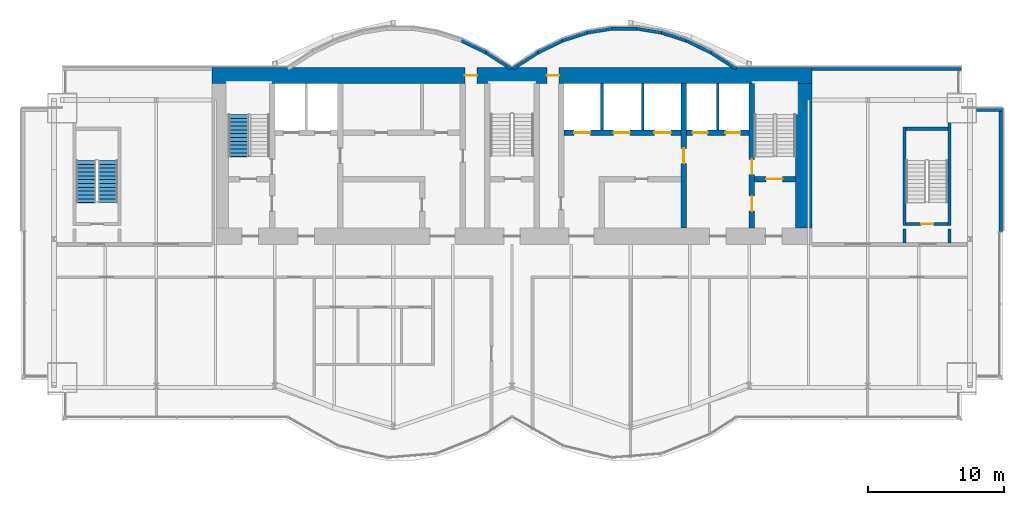
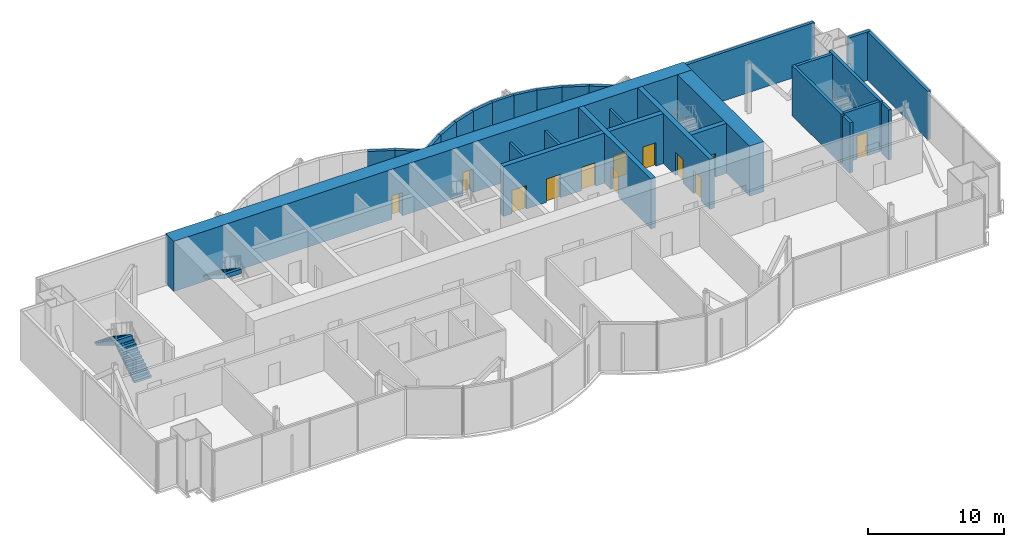
# One storey, part 13 of 17: 29 walls, 12 doors, 3 stair flights, 12 openings, 2 elements without a shape of their own.
"""IFC4 building model written with IfcOpenShell, lengths in metres."""

from ifc_helpers import new_model, si_unit, direction, frame, frame_2d, origin, place, context, subcontext, project, spatial, polyline, rectangle, outline, extrude, material, layer, layer_set, layer_usage, type_object, element, fill, aggregate, save


model = new_model("IFC4")

# Units and contexts
model_context = context("Model", 3, precision=1e-05, world=origin(), true_north=direction((0.0, 1.0)))
body_context = subcontext(model_context, "Body", "Model", "MODEL_VIEW")
ifc_project = project(units=[si_unit("LENGTHUNIT", "METRE"), si_unit("AREAUNIT", "SQUARE_METRE"), si_unit("VOLUMEUNIT", "CUBIC_METRE"), si_unit("PLANEANGLEUNIT", "RADIAN"), si_unit("MASSUNIT", "GRAM", prefix="KILO")], contexts=[model_context])

# Site, building, storey
site_placement = place(None, origin())
site = spatial("IfcSite", under=ifc_project, at=site_placement, CompositionType="ELEMENT")
building_placement = place(site_placement, origin())
building = spatial("IfcBuilding", under=site, at=building_placement, Name="Bicima Exchange Tower", CompositionType="ELEMENT")
storey_placement = place(building_placement, frame((0.0, 0.0, 320.0)))
storey = spatial("IfcBuildingStorey", under=building, at=storey_placement, Name="L72", CompositionType="ELEMENT", Elevation=320.0)

# Walls
ifc_material_1 = material(Name="Gypsum board partition")
ifc_layer_1 = layer(ifc_material_1, 0.199951171875)
ifc_layer_set_1 = layer_set([ifc_layer_1], Name="Gypsum board partition")
wall_type_1 = type_object("IfcWallType", Name="Fire-rated gypsum partition 200 EI120", PredefinedType="PARTITIONING", material=ifc_layer_set_1)
for number, where, z_axis, x_axis, name in (
    (1, (6.60009765625, -4.60009765625, 0.0), (0.0, 0.0, 1.0), (0.0, 1.0, 0.0), "partition wall 18"),
    (2, (9.60009765625, -4.60009765625, 0.0), (0.0, 0.0, 1.0), (0.0, 1.0, 0.0), "partition wall 19"),
    (3, (15.10009765625, -4.60009765625, 0.0), (0.0, 0.0, 1.0), (0.0, 1.0, 0.0), "partition wall 21"),
):
    element("IfcWall", number, at=place(storey_placement, frame(where, z_axis=z_axis, x_axis=x_axis)), inside=storey, type_object=wall_type_1, Name=name, PredefinedType="PARTITIONING", context=body_context, shape_type="SweptSolid", body=[
        extrude(rectangle(XDim=3.400146484375, YDim=0.199951171875, at=frame_2d((1.7001953125, 0.0))), origin(), (0.0, 0.0, 1.0), 3.418212890625),
    ])

# Wall, openings, doors
ifc_material_2 = material(Name="Concrete C40/50", Category="concrete")
ifc_layer_2 = layer(ifc_material_2, 1.199951171875)
ifc_layer_set_2 = layer_set([ifc_layer_2], Name="Concrete C40/50")
wall_type_2 = type_object("IfcWallType", Name="RC core wall 1200 C40/50", PredefinedType="SHEAR", material=ifc_layer_set_2)
wall_1_placement = place(storey_placement, frame((-22.0, -0.60009765625, 0.0), z_axis=(0.0, 0.0, 1.0), x_axis=(1.0, 0.0, 0.0)))
wall_1 = element("IfcWall", 4, at=wall_1_placement, inside=storey, type_object=wall_type_2, Name="Core wall north", PredefinedType="SHEAR", context=body_context, shape_type="SweptSolid", body=[
    extrude(rectangle(XDim=44.0, YDim=1.199951171875, at=frame_2d((22.0, 0.0))), origin(), (0.0, 0.0, 1.0), 4.5),
])
opening_1_placement = place(wall_1_placement, frame((18.550048828125, 0.0, 0.0)))
opening_1 = element("IfcOpeningElement", 5, at=opening_1_placement, cuts=wall_1, Name="Opening L72-C16", PredefinedType="OPENING", context=body_context, shape_type="SweptSolid", body=[
    extrude(rectangle(XDim=0.89990234375, YDim=2.10009765625, at=frame_2d((0.449951171875, 1.050048828125))), frame((0.0, 0.61181640625, 0.0), z_axis=(0.0, -1.0, 0.0), x_axis=(1.0, 0.0, 0.0)), (0.0, 0.0, 1.0), 1.223876953125),
])
opening_2_placement = place(wall_1_placement, frame((24.550048828125, 0.0, 0.0)))
opening_2 = element("IfcOpeningElement", 6, at=opening_2_placement, cuts=wall_1, Name="Opening L72-C17", PredefinedType="OPENING", context=body_context, shape_type="SweptSolid", body=[
    extrude(rectangle(XDim=0.89990234375, YDim=2.10009765625, at=frame_2d((0.449951171875, 1.050048828125))), frame((0.0, 0.61181640625, 0.0), z_axis=(0.0, -1.0, 0.0), x_axis=(1.0, 0.0, 0.0)), (0.0, 0.0, 1.0), 1.223876953125),
])
ifc_material_3 = material(Name="Steel fire door leaf", Category="steel")
door_type_1 = type_object("IfcDoorType", Name="Door 900 swing FD30S", OperationType="SINGLE_SWING_LEFT", PredefinedType="DOOR", material=ifc_material_3)
door_1_placement = place(opening_1_placement, origin())
door_1 = element("IfcDoor", 7, at=door_1_placement, inside=storey, type_object=door_type_1, Name="Core door", OperationType="SINGLE_SWING_LEFT", OverallHeight=2.10009765625, OverallWidth=0.89990234375, PredefinedType="DOOR", context=body_context, shape_type="SweptSolid", body=[
    extrude(rectangle(XDim=0.89990234375, YDim=2.10009765625, at=frame_2d((0.449951171875, 1.050048828125))), frame((0.0, 0.02490234375, 0.0), z_axis=(0.0, -1.0, 0.0), x_axis=(1.0, 0.0, 0.0)), (0.0, 0.0, 1.0), 0.050048828125),
])
fill(opening_1, door_1)
door_2_placement = place(opening_2_placement, origin())
door_2 = element("IfcDoor", 8, at=door_2_placement, inside=storey, type_object=door_type_1, Name="Core door", OperationType="SINGLE_SWING_LEFT", OverallHeight=2.10009765625, OverallWidth=0.89990234375, PredefinedType="DOOR", context=body_context, shape_type="SweptSolid", body=[
    extrude(rectangle(XDim=0.89990234375, YDim=2.10009765625, at=frame_2d((0.449951171875, 1.050048828125))), frame((0.0, 0.02490234375, 0.0), z_axis=(0.0, -1.0, 0.0), x_axis=(1.0, 0.0, 0.0)), (0.0, 0.0, 1.0), 0.050048828125),
])
fill(opening_2, door_2)

# Walls
wall_2_placement = place(storey_placement, frame((21.39990234375, -11.800048828125, 0.0), z_axis=(0.0, 0.0, 1.0), x_axis=(0.0, 1.0, 0.0)))
element("IfcWall", 9, at=wall_2_placement, inside=storey, type_object=wall_type_2, Name="Core wall east", PredefinedType="SHEAR", context=body_context, shape_type="SweptSolid", body=[
    extrude(rectangle(XDim=10.60009765625, YDim=1.199951171875, at=frame_2d((5.300048828125, 0.0))), origin(), (0.0, 0.0, 1.0), 4.5),
])
ifc_material_4 = material(Name="Concrete C50/60", Category="concrete")
ifc_layer_3 = layer(ifc_material_4, 0.25)
ifc_layer_set_3 = layer_set([ifc_layer_3], Name="Concrete C50/60")
wall_type_3 = type_object("IfcWallType", Name="RC core wall 250 C50/60", PredefinedType="SHEAR", material=ifc_layer_set_3)
for number, where, z_axis, x_axis, name in (
    (10, (28.800048828125, -12.89990234375, 0.0), (0.0, 0.0, 1.0), (0.0, 1.0, 0.0), "stair wall 26"),
    (11, (32.10009765625, -12.89990234375, 0.0), (0.0, 0.0, 1.0), (0.0, 1.0, 0.0), "stair wall 27"),
):
    element("IfcWall", number, at=place(storey_placement, frame(where, z_axis=z_axis, x_axis=x_axis)), inside=storey, type_object=wall_type_3, Name=name, PredefinedType="SHEAR", context=body_context, shape_type="SweptSolid", body=[
        extrude(rectangle(XDim=1.0498046875, YDim=0.25, at=frame_2d((0.52490234375, 0.0))), origin(), (0.0, 0.0, 1.0), 4.5),
    ])

# Wall, openings, doors
ifc_layer_4 = layer(ifc_material_2, 0.39990234375)
ifc_layer_set_4 = layer_set([ifc_layer_4], Name="Concrete C40/50")
wall_type_4 = type_object("IfcWallType", Name="RC core wall 400 C40/50", PredefinedType="SHEAR", material=ifc_layer_set_4)
wall_3_placement = place(storey_placement, frame((3.800048828125, -4.800048828125, 0.0), z_axis=(0.0, 0.0, 1.0), x_axis=(1.0, 0.0, 0.0)))
wall_3 = element("IfcWall", 12, at=wall_3_placement, inside=storey, type_object=wall_type_4, Name="shear wall 7", PredefinedType="SHEAR", context=body_context, shape_type="SweptSolid", body=[
    extrude(rectangle(XDim=13.599853515625, YDim=0.39990234375, at=frame_2d((6.7998046875, 0.0))), origin(), (0.0, 0.0, 1.0), 4.5),
])
opening_3_placement = place(wall_3_placement, frame((0.75, 0.0, 0.0)))
opening_3 = element("IfcOpeningElement", 13, at=opening_3_placement, cuts=wall_3, Name="Opening LD-HB1-L72", PredefinedType="OPENING", context=body_context, shape_type="SweptSolid", body=[
    extrude(rectangle(XDim=1.199951171875, YDim=2.10009765625, at=frame_2d((0.60009765625, 1.050048828125))), frame((0.0, 0.2119140625, 0.0), z_axis=(0.0, -1.0, 0.0), x_axis=(1.0, 0.0, 0.0)), (0.0, 0.0, 1.0), 0.423828125),
])
opening_4_placement = place(wall_3_placement, frame((3.64990234375, 0.0, 0.0)))
opening_4 = element("IfcOpeningElement", 14, at=opening_4_placement, cuts=wall_3, Name="Opening LD-HB2-L72", PredefinedType="OPENING", context=body_context, shape_type="SweptSolid", body=[
    extrude(rectangle(XDim=1.199951171875, YDim=2.10009765625, at=frame_2d((0.60009765625, 1.050048828125))), frame((0.0, 0.2119140625, 0.0), z_axis=(0.0, -1.0, 0.0), x_axis=(1.0, 0.0, 0.0)), (0.0, 0.0, 1.0), 0.423828125),
])
opening_5_placement = place(wall_3_placement, frame((6.64990234375, 0.0, 0.0)))
opening_5 = element("IfcOpeningElement", 15, at=opening_5_placement, cuts=wall_3, Name="Opening LD-HB3-L72", PredefinedType="OPENING", context=body_context, shape_type="SweptSolid", body=[
    extrude(rectangle(XDim=1.199951171875, YDim=2.10009765625, at=frame_2d((0.60009765625, 1.050048828125))), frame((0.0, 0.2119140625, 0.0), z_axis=(0.0, -1.0, 0.0), x_axis=(1.0, 0.0, 0.0)), (0.0, 0.0, 1.0), 0.423828125),
])
opening_6_placement = place(wall_3_placement, frame((9.449951171875, 0.0, 0.0)))
opening_6 = element("IfcOpeningElement", 16, at=opening_6_placement, cuts=wall_3, Name="Opening LD-FF2-L72", PredefinedType="OPENING", context=body_context, shape_type="SweptSolid", body=[
    extrude(rectangle(XDim=1.10009765625, YDim=2.10009765625, at=frame_2d((0.550048828125, 1.050048828125))), frame((0.0, 0.2119140625, 0.0), z_axis=(0.0, -1.0, 0.0), x_axis=(1.0, 0.0, 0.0)), (0.0, 0.0, 1.0), 0.423828125),
])
opening_7_placement = place(wall_3_placement, frame((11.85009765625, 0.0, 0.0)))
opening_7 = element("IfcOpeningElement", 17, at=opening_7_placement, cuts=wall_3, Name="Opening LD-SV1-L72", PredefinedType="OPENING", context=body_context, shape_type="SweptSolid", body=[
    extrude(rectangle(XDim=1.10009765625, YDim=2.10009765625, at=frame_2d((0.550048828125, 1.050048828125))), frame((0.0, 0.2119140625, 0.0), z_axis=(0.0, -1.0, 0.0), x_axis=(1.0, 0.0, 0.0)), (0.0, 0.0, 1.0), 0.423828125),
])
ifc_material_5 = material(Name="Stainless steel", Category="steel")
door_type_2 = type_object("IfcDoorType", Name="Lift landing door 1100 sliding", OperationType="DOUBLE_DOOR_SLIDING", PredefinedType="DOOR", material=ifc_material_5)
door_3_placement = place(opening_6_placement, origin())
door_3 = element("IfcDoor", 18, at=door_3_placement, inside=storey, type_object=door_type_2, Name="Lift landing door FF2", OperationType="DOUBLE_DOOR_SLIDING", OverallHeight=2.10009765625, OverallWidth=1.10009765625, PredefinedType="DOOR", context=body_context, shape_type="SweptSolid", body=[
    extrude(rectangle(XDim=1.10009765625, YDim=2.10009765625, at=frame_2d((0.550048828125, 1.050048828125))), frame((0.0, 0.02490234375, 0.0), z_axis=(0.0, -1.0, 0.0), x_axis=(1.0, 0.0, 0.0)), (0.0, 0.0, 1.0), 0.050048828125),
])
fill(opening_6, door_3)
door_4_placement = place(opening_7_placement, origin())
door_4 = element("IfcDoor", 19, at=door_4_placement, inside=storey, type_object=door_type_2, Name="Lift landing door SV1", OperationType="DOUBLE_DOOR_SLIDING", OverallHeight=2.10009765625, OverallWidth=1.10009765625, PredefinedType="DOOR", context=body_context, shape_type="SweptSolid", body=[
    extrude(rectangle(XDim=1.10009765625, YDim=2.10009765625, at=frame_2d((0.550048828125, 1.050048828125))), frame((0.0, 0.02490234375, 0.0), z_axis=(0.0, -1.0, 0.0), x_axis=(1.0, 0.0, 0.0)), (0.0, 0.0, 1.0), 0.050048828125),
])
fill(opening_7, door_4)
door_type_3 = type_object("IfcDoorType", Name="Lift landing door 1200 sliding", OperationType="DOUBLE_DOOR_SLIDING", PredefinedType="DOOR", material=ifc_material_5)
door_5_placement = place(opening_3_placement, origin())
door_5 = element("IfcDoor", 20, at=door_5_placement, inside=storey, type_object=door_type_3, Name="Lift landing door HB1", OperationType="DOUBLE_DOOR_SLIDING", OverallHeight=2.10009765625, OverallWidth=1.199951171875, PredefinedType="DOOR", context=body_context, shape_type="SweptSolid", body=[
    extrude(rectangle(XDim=1.199951171875, YDim=2.10009765625, at=frame_2d((0.60009765625, 1.050048828125))), frame((0.0, 0.02490234375, 0.0), z_axis=(0.0, -1.0, 0.0), x_axis=(1.0, 0.0, 0.0)), (0.0, 0.0, 1.0), 0.050048828125),
])
fill(opening_3, door_5)
door_6_placement = place(opening_4_placement, origin())
door_6 = element("IfcDoor", 21, at=door_6_placement, inside=storey, type_object=door_type_3, Name="Lift landing door HB2", OperationType="DOUBLE_DOOR_SLIDING", OverallHeight=2.10009765625, OverallWidth=1.199951171875, PredefinedType="DOOR", context=body_context, shape_type="SweptSolid", body=[
    extrude(rectangle(XDim=1.199951171875, YDim=2.10009765625, at=frame_2d((0.60009765625, 1.050048828125))), frame((0.0, 0.02490234375, 0.0), z_axis=(0.0, -1.0, 0.0), x_axis=(1.0, 0.0, 0.0)), (0.0, 0.0, 1.0), 0.050048828125),
])
fill(opening_4, door_6)
door_7_placement = place(opening_5_placement, origin())
door_7 = element("IfcDoor", 22, at=door_7_placement, inside=storey, type_object=door_type_3, Name="Lift landing door HB3", OperationType="DOUBLE_DOOR_SLIDING", OverallHeight=2.10009765625, OverallWidth=1.199951171875, PredefinedType="DOOR", context=body_context, shape_type="SweptSolid", body=[
    extrude(rectangle(XDim=1.199951171875, YDim=2.10009765625, at=frame_2d((0.60009765625, 1.050048828125))), frame((0.0, 0.02490234375, 0.0), z_axis=(0.0, -1.0, 0.0), x_axis=(1.0, 0.0, 0.0)), (0.0, 0.0, 1.0), 0.050048828125),
])
fill(opening_5, door_7)

# Wall, opening, door
wall_4_placement = place(storey_placement, frame((12.60009765625, -11.800048828125, 0.0), z_axis=(0.0, 0.0, 1.0), x_axis=(0.0, 1.0, 0.0)))
wall_4 = element("IfcWall", 23, at=wall_4_placement, inside=storey, type_object=wall_type_4, Name="shear wall 20", PredefinedType="SHEAR", context=body_context, shape_type="SweptSolid", body=[
    extrude(rectangle(XDim=10.60009765625, YDim=0.39990234375, at=frame_2d((5.300048828125, 0.0))), origin(), (0.0, 0.0, 1.0), 4.5),
])
opening_8_placement = place(wall_4_placement, frame((4.75, 0.0, 0.0)))
opening_8 = element("IfcOpeningElement", 24, at=opening_8_placement, cuts=wall_4, Name="Opening L72-C09", PredefinedType="OPENING", context=body_context, shape_type="SweptSolid", body=[
    extrude(rectangle(XDim=1.10009765625, YDim=2.10009765625, at=frame_2d((0.550048828125, 1.050048828125))), frame((0.0, 0.2119140625, 0.0), z_axis=(0.0, -1.0, 0.0), x_axis=(1.0, 0.0, 0.0)), (0.0, 0.0, 1.0), 0.423828125),
])
door_type_4 = type_object("IfcDoorType", Name="Door 1100 swing FD60S", OperationType="SINGLE_SWING_LEFT", PredefinedType="DOOR", material=ifc_material_3)
door_8_placement = place(opening_8_placement, frame((1.10009765625, 0.0, 0.0), z_axis=(0.0, 0.0, 1.0), x_axis=(-1.0, 0.0, 0.0)))
door_8 = element("IfcDoor", 25, at=door_8_placement, inside=storey, type_object=door_type_4, Name="Core door", OperationType="SINGLE_SWING_RIGHT", OverallHeight=2.10009765625, OverallWidth=1.10009765625, PredefinedType="DOOR", context=body_context, shape_type="SweptSolid", body=[
    extrude(rectangle(XDim=1.10009765625, YDim=2.10009765625, at=frame_2d((0.550048828125, 1.050048828125))), frame((0.0, 0.02490234375, 0.0), z_axis=(0.0, -1.0, 0.0), x_axis=(1.0, 0.0, 0.0)), (0.0, 0.0, 1.0), 0.050048828125),
])
fill(opening_8, door_8)

ifc_layer_5 = layer(ifc_material_4, 0.39990234375)
ifc_layer_set_5 = layer_set([ifc_layer_5], Name="Concrete C50/60")
wall_type_5 = type_object("IfcWallType", Name="RC core wall 400 C50/60", PredefinedType="SHEAR", material=ifc_layer_set_5)
wall_5_placement = place(storey_placement, frame((17.800048828125, -8.199951171875, 0.0), z_axis=(0.0, 0.0, 1.0), x_axis=(1.0, 0.0, 0.0)))
wall_5 = element("IfcWall", 26, at=wall_5_placement, inside=storey, type_object=wall_type_5, Name="stair wall 5", PredefinedType="SHEAR", context=body_context, shape_type="SweptSolid", body=[
    extrude(rectangle(XDim=3.0, YDim=0.39990234375, at=frame_2d((1.5, 0.0))), origin(), (0.0, 0.0, 1.0), 4.5),
])
opening_9_placement = place(wall_5_placement, frame((0.85009765625, 0.0, 0.0)))
opening_9 = element("IfcOpeningElement", 27, at=opening_9_placement, cuts=wall_5, Name="Opening L72-C04", PredefinedType="OPENING", context=body_context, shape_type="SweptSolid", body=[
    extrude(rectangle(XDim=1.199951171875, YDim=2.10009765625, at=frame_2d((0.60009765625, 1.050048828125))), frame((0.0, 0.2119140625, 0.0), z_axis=(0.0, -1.0, 0.0), x_axis=(1.0, 0.0, 0.0)), (0.0, 0.0, 1.0), 0.423828125),
])
door_type_5 = type_object("IfcDoorType", Name="Door 1200 swing FD60S", OperationType="SINGLE_SWING_LEFT", PredefinedType="DOOR", material=ifc_material_3)
door_9_placement = place(opening_9_placement, origin())
door_9 = element("IfcDoor", 28, at=door_9_placement, inside=storey, type_object=door_type_5, Name="Core door", OperationType="SINGLE_SWING_RIGHT", OverallHeight=2.10009765625, OverallWidth=1.199951171875, PredefinedType="DOOR", context=body_context, shape_type="SweptSolid", body=[
    extrude(rectangle(XDim=1.199951171875, YDim=2.10009765625, at=frame_2d((0.60009765625, 1.050048828125))), frame((0.0, 0.02490234375, 0.0), z_axis=(0.0, -1.0, 0.0), x_axis=(1.0, 0.0, 0.0)), (0.0, 0.0, 1.0), 0.050048828125),
])
fill(opening_9, door_9)

# Wall, openings, doors
wall_6_placement = place(storey_placement, frame((17.60009765625, -11.800048828125, 0.0), z_axis=(0.0, 0.0, 1.0), x_axis=(0.0, 1.0, 0.0)))
wall_6 = element("IfcWall", 29, at=wall_6_placement, inside=storey, type_object=wall_type_5, Name="stair wall 22", PredefinedType="SHEAR", context=body_context, shape_type="SweptSolid", body=[
    extrude(rectangle(XDim=10.60009765625, YDim=0.39990234375, at=frame_2d((5.300048828125, 0.0))), origin(), (0.0, 0.0, 1.0), 4.5),
])
opening_10_placement = place(wall_6_placement, frame((1.25, 0.0, 0.0)))
opening_10 = element("IfcOpeningElement", 30, at=opening_10_placement, cuts=wall_6, Name="Opening L72-C05", PredefinedType="OPENING", context=body_context, shape_type="SweptSolid", body=[
    extrude(rectangle(XDim=1.10009765625, YDim=2.10009765625, at=frame_2d((0.550048828125, 1.050048828125))), frame((0.0, 0.2119140625, 0.0), z_axis=(0.0, -1.0, 0.0), x_axis=(1.0, 0.0, 0.0)), (0.0, 0.0, 1.0), 0.423828125),
])
opening_11_placement = place(wall_6_placement, frame((3.949951171875, 0.0, 0.0)))
opening_11 = element("IfcOpeningElement", 31, at=opening_11_placement, cuts=wall_6, Name="Opening L72-C08", PredefinedType="OPENING", context=body_context, shape_type="SweptSolid", body=[
    extrude(rectangle(XDim=1.10009765625, YDim=2.10009765625, at=frame_2d((0.550048828125, 1.050048828125))), frame((0.0, 0.2119140625, 0.0), z_axis=(0.0, -1.0, 0.0), x_axis=(1.0, 0.0, 0.0)), (0.0, 0.0, 1.0), 0.423828125),
])
door_10_placement = place(opening_10_placement, origin())
door_10 = element("IfcDoor", 32, at=door_10_placement, inside=storey, type_object=door_type_4, Name="Core door", OperationType="SINGLE_SWING_LEFT", OverallHeight=2.10009765625, OverallWidth=1.10009765625, PredefinedType="DOOR", context=body_context, shape_type="SweptSolid", body=[
    extrude(rectangle(XDim=1.10009765625, YDim=2.10009765625, at=frame_2d((0.550048828125, 1.050048828125))), frame((0.0, 0.02490234375, 0.0), z_axis=(0.0, -1.0, 0.0), x_axis=(1.0, 0.0, 0.0)), (0.0, 0.0, 1.0), 0.050048828125),
])
fill(opening_10, door_10)
door_11_placement = place(opening_11_placement, origin())
door_11 = element("IfcDoor", 33, at=door_11_placement, inside=storey, type_object=door_type_4, Name="Core door", OperationType="SINGLE_SWING_RIGHT", OverallHeight=2.10009765625, OverallWidth=1.10009765625, PredefinedType="DOOR", context=body_context, shape_type="SweptSolid", body=[
    extrude(rectangle(XDim=1.10009765625, YDim=2.10009765625, at=frame_2d((0.550048828125, 1.050048828125))), frame((0.0, 0.02490234375, 0.0), z_axis=(0.0, -1.0, 0.0), x_axis=(1.0, 0.0, 0.0)), (0.0, 0.0, 1.0), 0.050048828125),
])
fill(opening_11, door_11)

# Walls
ifc_layer_6 = layer(ifc_material_4, 0.25)
ifc_layer_set_6 = layer_set([ifc_layer_6], Name="Concrete C50/60")
wall_type_6 = type_object("IfcWallType", Name="RC stair enclosure wall 250 C50/60", PredefinedType="SHEAR", material=ifc_layer_set_6)
wall_7_placement = place(storey_placement, frame((28.800048828125, -11.625, 0.0), z_axis=(0.0, 0.0, 1.0), x_axis=(0.0, 1.0, 0.0)))
element("IfcWall", 34, at=wall_7_placement, inside=storey, type_object=wall_type_6, Name="East end exit stair wall W", PredefinedType="SHEAR", context=body_context, shape_type="SweptSolid", body=[
    extrude(rectangle(XDim=7.25, YDim=0.25, at=frame_2d((3.625, 0.0))), origin(), (0.0, 0.0, 1.0), 4.5),
])
wall_8_placement = place(storey_placement, frame((32.10009765625, -11.625, 0.0), z_axis=(0.0, 0.0, 1.0), x_axis=(0.0, 1.0, 0.0)))
element("IfcWall", 35, at=wall_8_placement, inside=storey, type_object=wall_type_6, Name="East end exit stair wall E", PredefinedType="SHEAR", context=body_context, shape_type="SweptSolid", body=[
    extrude(rectangle(XDim=7.52490234375, YDim=0.25, at=frame_2d((3.762451171875, 0.0))), origin(), (0.0, 0.0, 1.0), 4.5),
])

# Wall, opening, door
wall_9_placement = place(storey_placement, frame((28.925048828125, -11.5, 0.0), z_axis=(0.0, 0.0, 1.0), x_axis=(1.0, 0.0, 0.0)))
wall_9 = element("IfcWall", 36, at=wall_9_placement, inside=storey, type_object=wall_type_6, Name="East end exit stair wall S", PredefinedType="SHEAR", context=body_context, shape_type="SweptSolid", body=[
    extrude(rectangle(XDim=3.050048828125, YDim=0.25, at=frame_2d((1.52490234375, 0.0))), origin(), (0.0, 0.0, 1.0), 4.5),
])
opening_12_placement = place(wall_9_placement, frame((1.10009765625, 0.0, 0.0)))
opening_12 = element("IfcOpeningElement", 37, at=opening_12_placement, cuts=wall_9, Name="Opening L72-004", PredefinedType="OPENING", context=body_context, shape_type="SweptSolid", body=[
    extrude(rectangle(XDim=0.89990234375, YDim=2.10009765625, at=frame_2d((0.449951171875, 1.050048828125))), frame((0.0, 0.136962890625, 0.0), z_axis=(0.0, -1.0, 0.0), x_axis=(1.0, 0.0, 0.0)), (0.0, 0.0, 1.0), 0.27392578125),
])
door_type_6 = type_object("IfcDoorType", Name="Door 900 swing FD60S", OperationType="SINGLE_SWING_LEFT", PredefinedType="DOOR", material=ifc_material_3)
door_12_placement = place(opening_12_placement, origin())
door_12 = element("IfcDoor", 38, at=door_12_placement, inside=storey, type_object=door_type_6, Name="Door", OperationType="SINGLE_SWING_LEFT", OverallHeight=2.10009765625, OverallWidth=0.89990234375, PredefinedType="DOOR", context=body_context, shape_type="SweptSolid", body=[
    extrude(rectangle(XDim=0.89990234375, YDim=2.10009765625, at=frame_2d((0.449951171875, 1.050048828125))), frame((0.0, 0.02490234375, 0.0), z_axis=(0.0, -1.0, 0.0), x_axis=(1.0, 0.0, 0.0)), (0.0, 0.0, 1.0), 0.050048828125),
])
fill(opening_12, door_12)

# Walls
wall_10_placement = place(storey_placement, frame((28.925048828125, -4.5, 0.0), z_axis=(0.0, 0.0, 1.0), x_axis=(1.0, 0.0, 0.0)))
element("IfcWall", 39, at=wall_10_placement, inside=storey, type_object=wall_type_6, Name="East end exit stair wall N", PredefinedType="SHEAR", context=body_context, shape_type="SweptSolid", body=[
    extrude(rectangle(XDim=3.050048828125, YDim=0.25, at=frame_2d((1.52490234375, 0.0))), origin(), (0.0, 0.0, 1.0), 4.5),
])
ifc_layer_7 = layer(ifc_material_2, 0.25)
ifc_layer_set_7 = layer_set([ifc_layer_7], Name="Concrete C40/50")
ifc_layer_usage = layer_usage(ifc_layer_set_7, "AXIS2", "POSITIVE", -0.125)
wall_type_7 = type_object("IfcWallType", Name="Rear backup wall 250", PredefinedType="STANDARD", material=ifc_layer_set_7)
wall_11_placement = place(storey_placement, frame((33.0, -0.125, 0.0), z_axis=(0.0, 0.0, 1.0), x_axis=(-1.0, 0.0, 0.0)))
element("IfcWall", 40, at=wall_11_placement, inside=storey, type_object=wall_type_7, material=ifc_layer_usage, Name="Rear backup wall L72 1", PredefinedType="STANDARD", context=body_context, shape_type="SweptSolid", body=[
    extrude(rectangle(XDim=11.0, YDim=0.25, at=frame_2d((5.5, 0.0))), origin(), (0.0, 0.0, 1.0), 4.35009765625),
])
wall_12_placement = place(storey_placement, frame((16.43212890625, -0.10498046875, 0.0), z_axis=(0.0, 0.0, 1.0), x_axis=(-0.83981312244, 0.542875602121, 0.0)))
element("IfcWall", 41, at=wall_12_placement, inside=storey, type_object=wall_type_7, material=ifc_layer_usage, Name="Rear backup wall L72 2", PredefinedType="STANDARD", context=body_context, shape_type="SweptSolid", body=[
    extrude(rectangle(XDim=2.182861328125, YDim=0.25, at=frame_2d((1.09130859375, 0.0))), origin(), (0.0, 0.0, 1.0), 4.35009765625),
])
wall_13_placement = place(storey_placement, frame((14.6123046875, 1.07275390625, 0.0), z_axis=(0.0, 0.0, 1.0), x_axis=(-0.89982408427, 0.436252928206, 0.0)))
element("IfcWall", 42, at=wall_13_placement, inside=storey, type_object=wall_type_7, material=ifc_layer_usage, Name="Rear backup wall L72 3", PredefinedType="STANDARD", context=body_context, shape_type="SweptSolid", body=[
    extrude(rectangle(XDim=2.03759765625, YDim=0.25, at=frame_2d((1.018798828125, 0.0))), origin(), (0.0, 0.0, 1.0), 4.35009765625),
])
wall_14_placement = place(storey_placement, frame((12.794921875, 1.955078125, 0.0), z_axis=(0.0, 0.0, 1.0), x_axis=(-0.951495806175, 0.307661714928, 0.0)))
element("IfcWall", 43, at=wall_14_placement, inside=storey, type_object=wall_type_7, material=ifc_layer_usage, Name="Rear backup wall L72 4", PredefinedType="STANDARD", context=body_context, shape_type="SweptSolid", body=[
    extrude(rectangle(XDim=1.9267578125, YDim=0.25, at=frame_2d((0.96337890625, 0.0))), origin(), (0.0, 0.0, 1.0), 4.35009765625),
])
wall_15_placement = place(storey_placement, frame((10.97998046875, 2.543212890625, 0.0), z_axis=(0.0, 0.0, 1.0), x_axis=(-0.987181718931, 0.159600293885, 0.0)))
element("IfcWall", 44, at=wall_15_placement, inside=storey, type_object=wall_type_7, material=ifc_layer_usage, Name="Rear backup wall L72 5", PredefinedType="STANDARD", context=body_context, shape_type="SweptSolid", body=[
    extrude(rectangle(XDim=1.857177734375, YDim=0.25, at=frame_2d((0.9287109375, 0.0))), origin(), (0.0, 0.0, 1.0), 4.35009765625),
])
wall_16_placement = place(storey_placement, frame((9.166748046875, 2.837890625, 0.0), z_axis=(0.0, 0.0, 1.0), x_axis=(-1.0, 0.0, 0.0)))
element("IfcWall", 45, at=wall_16_placement, inside=storey, type_object=wall_type_7, material=ifc_layer_usage, Name="Rear backup wall L72 6", PredefinedType="STANDARD", context=body_context, shape_type="SweptSolid", body=[
    extrude(rectangle(XDim=1.83349609375, YDim=0.25, at=frame_2d((0.916748046875, 0.0))), origin(), (0.0, 0.0, 1.0), 4.35009765625),
])
wall_17_placement = place(storey_placement, frame((7.353271484375, 2.839599609375, 0.0), z_axis=(0.0, 0.0, 1.0), x_axis=(-0.987181718931, -0.159600293885, 0.0)))
element("IfcWall", 46, at=wall_17_placement, inside=storey, type_object=wall_type_7, material=ifc_layer_usage, Name="Rear backup wall L72 7", PredefinedType="STANDARD", context=body_context, shape_type="SweptSolid", body=[
    extrude(rectangle(XDim=1.857177734375, YDim=0.25, at=frame_2d((0.9287109375, 0.0))), origin(), (0.0, 0.0, 1.0), 4.35009765625),
])
wall_18_placement = place(storey_placement, frame((5.538330078125, 2.5478515625, 0.0), z_axis=(0.0, 0.0, 1.0), x_axis=(-0.951495806175, -0.307661714928, 0.0)))
element("IfcWall", 47, at=wall_18_placement, inside=storey, type_object=wall_type_7, material=ifc_layer_usage, Name="Rear backup wall L72 8", PredefinedType="STANDARD", context=body_context, shape_type="SweptSolid", body=[
    extrude(rectangle(XDim=1.9267578125, YDim=0.25, at=frame_2d((0.96337890625, 0.0))), origin(), (0.0, 0.0, 1.0), 4.35009765625),
])
wall_19_placement = place(storey_placement, frame((3.72119140625, 1.961669921875, 0.0), z_axis=(0.0, 0.0, 1.0), x_axis=(-0.89982408427, -0.436252928206, 0.0)))
element("IfcWall", 48, at=wall_19_placement, inside=storey, type_object=wall_type_7, material=ifc_layer_usage, Name="Rear backup wall L72 9", PredefinedType="STANDARD", context=body_context, shape_type="SweptSolid", body=[
    extrude(rectangle(XDim=2.03759765625, YDim=0.25, at=frame_2d((1.018798828125, 0.0))), origin(), (0.0, 0.0, 1.0), 4.35009765625),
])
for number, where, z_axis, x_axis, name in (
    (49, (1.901123046875, 1.080078125, 0.0), (0.0, 0.0, 1.0), (-0.83981312244, -0.542875602121, 0.0), "Rear backup wall L72 10"),
    (50, (-0.06787109375, -0.10498046875, 0.0), (0.0, 0.0, 1.0), (-0.83981312244, 0.542875602121, 0.0), "Rear backup wall L72 11"),
):
    element("IfcWall", number, at=place(storey_placement, frame(where, z_axis=z_axis, x_axis=x_axis)), inside=storey, type_object=wall_type_7, material=ifc_layer_usage, Name=name, PredefinedType="STANDARD", context=body_context, shape_type="SweptSolid", body=[
        extrude(rectangle(XDim=2.182861328125, YDim=0.25, at=frame_2d((1.09130859375, 0.0))), origin(), (0.0, 0.0, 1.0), 4.35009765625),
    ])
wall_20_placement = place(storey_placement, frame((-1.8876953125, 1.07275390625, 0.0), z_axis=(0.0, 0.0, 1.0), x_axis=(-0.89982408427, 0.436252928206, 0.0)))
element("IfcWall", 51, at=wall_20_placement, inside=storey, type_object=wall_type_7, material=ifc_layer_usage, Name="Rear backup wall L72 12", PredefinedType="STANDARD", context=body_context, shape_type="SweptSolid", body=[
    extrude(rectangle(XDim=2.03759765625, YDim=0.25, at=frame_2d((1.018798828125, 0.0))), origin(), (0.0, 0.0, 1.0), 4.35009765625),
])
wall_21_placement = place(storey_placement, frame((35.875, -12.090087890625, 0.0), z_axis=(0.0, 0.0, 1.0), x_axis=(0.0, 1.0, 0.0)))
element("IfcWall", 52, at=wall_21_placement, inside=storey, type_object=wall_type_7, material=ifc_layer_usage, Name="Rear backup wall L72 50", PredefinedType="STANDARD", context=body_context, shape_type="SweptSolid", body=[
    extrude(rectangle(XDim=9.090087890625, YDim=0.25, at=frame_2d((4.544921875, 0.0))), origin(), (0.0, 0.0, 1.0), 4.35009765625),
])
wall_22_placement = place(storey_placement, frame((36.0, -3.125, 0.0), z_axis=(0.0, 0.0, 1.0), x_axis=(-1.0, 0.0, 0.0)))
element("IfcWall", 53, at=wall_22_placement, inside=storey, type_object=wall_type_7, material=ifc_layer_usage, Name="Rear backup wall L72 51", PredefinedType="STANDARD", context=body_context, shape_type="SweptSolid", body=[
    extrude(rectangle(XDim=1.89990234375, YDim=0.25, at=frame_2d((0.949951171875, 0.0))), origin(), (0.0, 0.0, 1.0), 4.35009765625),
])

# Stair, stair flight
stair_type = type_object("IfcStairType", Name="Exit stair", PredefinedType="HALF_TURN_STAIR", material=ifc_material_4)
stair_1_placement = place(storey_placement, origin())
stair_1 = element("IfcStair", 54, at=stair_1_placement, inside=storey, type_object=stair_type, Name="L72 West exit stair", PredefinedType="HALF_TURN_STAIR")
stair_flight_type = type_object("IfcStairFlightType", Name="Stair flight RC", PredefinedType="STRAIGHT", material=ifc_material_4)
stair_flight_1_placement = place(storey_placement, frame((-20.074951171875, -3.469970703125, 2.25), z_axis=(0.0, 0.0, 1.0), x_axis=(0.0, -1.0, 0.0)))
stair_flight_1 = element("IfcStairFlight", 55, at=stair_flight_1_placement, type_object=stair_flight_type, Name="ST-W flight 2", NumberOfRisers=12, NumberOfTreads=11, PredefinedType="STRAIGHT", RiserHeight=0.1875, TreadLength=0.28, context=body_context, shape_type="SweptSolid", body=[
    extrude(outline(polyline([(0.0, 0.0), (0.0, 0.1875), (0.280029296875, 0.1875), (0.280029296875, 0.375), (0.56005859375, 0.375), (0.56005859375, 0.5625), (0.840087890625, 0.5625), (0.840087890625, 0.75), (1.1201171875, 0.75), (1.1201171875, 0.9375), (1.39990234375, 0.9375), (1.39990234375, 1.125), (1.679931640625, 1.125), (1.679931640625, 1.3125), (1.9599609375, 1.3125), (1.9599609375, 1.5), (2.239990234375, 1.5), (2.239990234375, 1.6875), (2.52001953125, 1.6875), (2.52001953125, 1.875), (2.800048828125, 1.875), (2.800048828125, 2.0625), (3.080078125, 2.0625), (3.080078125, 2.10400390625), (3.094970703125, 2.10400390625), (3.094970703125, 1.70458984375), (0.26953125, 0.0), (0.0, 0.0)])), frame((0.0, 0.72509765625, 0.0), z_axis=(0.0, -1.0, 0.0), x_axis=(1.0, 0.0, 0.0)), (0.0, 0.0, 1.0), 1.449951171875),
])
aggregate(stair_1, [stair_flight_1])

# Stair, stair flights
stair_2_placement = place(storey_placement, origin())
stair_2 = element("IfcStair", 56, at=stair_2_placement, inside=storey, type_object=stair_type, Name="L72 West end exit stair", PredefinedType="HALF_TURN_STAIR")
stair_flight_2_placement = place(storey_placement, frame((-29.64990234375, -9.925048828125, 0.0), z_axis=(0.0, 0.0, 1.0), x_axis=(0.0, 1.0, 0.0)))
stair_flight_2 = element("IfcStairFlight", 57, at=stair_flight_2_placement, type_object=stair_flight_type, Name="ST-WW flight 1", NumberOfRisers=12, NumberOfTreads=11, PredefinedType="STRAIGHT", RiserHeight=0.1875, TreadLength=0.28, context=body_context, shape_type="SweptSolid", body=[
    extrude(outline(polyline([(0.0, 0.0), (0.0, 0.1875), (0.280029296875, 0.1875), (0.280029296875, 0.375), (0.56005859375, 0.375), (0.56005859375, 0.5625), (0.840087890625, 0.5625), (0.840087890625, 0.75), (1.1201171875, 0.75), (1.1201171875, 0.9375), (1.39990234375, 0.9375), (1.39990234375, 1.125), (1.679931640625, 1.125), (1.679931640625, 1.3125), (1.9599609375, 1.3125), (1.9599609375, 1.5), (2.239990234375, 1.5), (2.239990234375, 1.6875), (2.52001953125, 1.6875), (2.52001953125, 1.875), (2.800048828125, 1.875), (2.800048828125, 2.0625), (3.080078125, 2.0625), (3.080078125, 2.25), (3.080078125, 1.882080078125), (0.26953125, 0.0), (0.0, 0.0)])), frame((0.0, 0.72509765625, 0.0), z_axis=(0.0, -1.0, 0.0), x_axis=(1.0, 0.0, 0.0)), (0.0, 0.0, 1.0), 1.449951171875),
])
stair_flight_3_placement = place(storey_placement, frame((-31.25, -6.844970703125, 2.25), z_axis=(0.0, 0.0, 1.0), x_axis=(0.0, -1.0, 0.0)))
stair_flight_3 = element("IfcStairFlight", 58, at=stair_flight_3_placement, type_object=stair_flight_type, Name="ST-WW flight 2", NumberOfRisers=12, NumberOfTreads=11, PredefinedType="STRAIGHT", RiserHeight=0.1875, TreadLength=0.28, context=body_context, shape_type="SweptSolid", body=[
    extrude(outline(polyline([(0.0, 0.0), (0.0, 0.1875), (0.280029296875, 0.1875), (0.280029296875, 0.375), (0.56005859375, 0.375), (0.56005859375, 0.5625), (0.840087890625, 0.5625), (0.840087890625, 0.75), (1.1201171875, 0.75), (1.1201171875, 0.9375), (1.39990234375, 0.9375), (1.39990234375, 1.125), (1.679931640625, 1.125), (1.679931640625, 1.3125), (1.9599609375, 1.3125), (1.9599609375, 1.5), (2.239990234375, 1.5), (2.239990234375, 1.6875), (2.52001953125, 1.6875), (2.52001953125, 1.875), (2.800048828125, 1.875), (2.800048828125, 2.0625), (3.080078125, 2.0625), (3.080078125, 2.10400390625), (3.094970703125, 2.10400390625), (3.094970703125, 1.70458984375), (0.26953125, 0.0), (0.0, 0.0)])), frame((0.0, 0.72509765625, 0.0), z_axis=(0.0, -1.0, 0.0), x_axis=(1.0, 0.0, 0.0)), (0.0, 0.0, 1.0), 1.449951171875),
])
aggregate(stair_2, [stair_flight_2, stair_flight_3])

save(model, "model.ifc")
